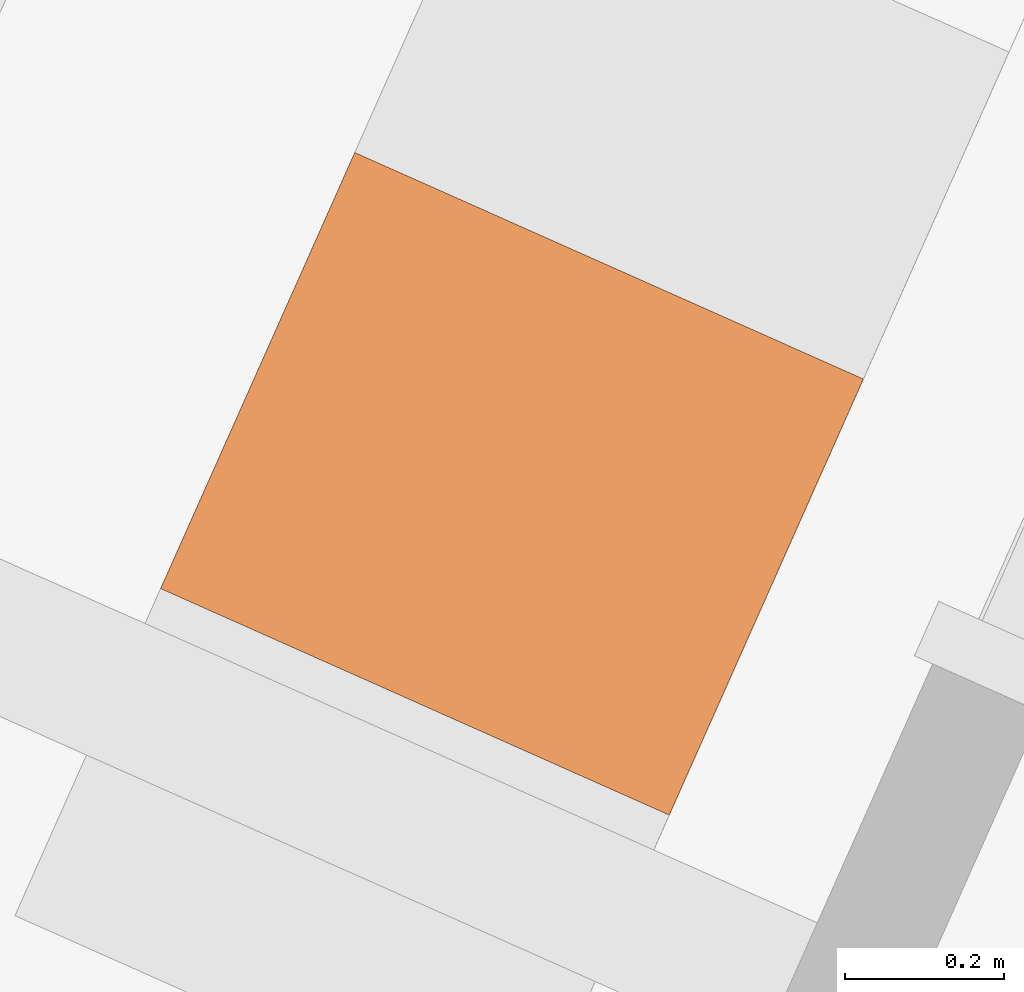
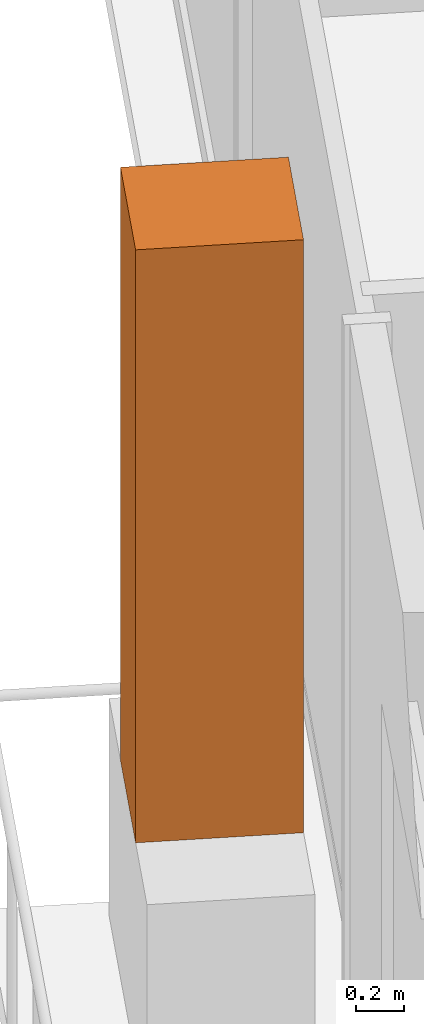
# One storey, part 21 of 21: 1 geographic element.
"""IFC4 building model written with IfcOpenShell, lengths in metres."""

from ifc_helpers import new_model, si_unit, direction, frame, origin, origin_2d, place, context, subcontext, project, spatial, rectangle, extrude, source, transform, mapped, material, type_object, element, save


model = new_model("IFC4")

# Units and contexts
model_context = context("Model", 3, precision=1e-05, world=origin(), true_north=direction((0.0, 1.0)))
body_context = subcontext(model_context, "Body", "Model", "MODEL_VIEW")
ifc_project = project(units=[si_unit("LENGTHUNIT", "METRE"), si_unit("AREAUNIT", "SQUARE_METRE"), si_unit("VOLUMEUNIT", "CUBIC_METRE"), si_unit("PLANEANGLEUNIT", "RADIAN"), si_unit("MASSUNIT", "GRAM", prefix="KILO")], contexts=[model_context])

# Site, building, storey
site_placement = place(None, origin())
site = spatial("IfcSite", under=ifc_project, at=site_placement, CompositionType="ELEMENT")
building_placement = place(site_placement, origin())
building = spatial("IfcBuilding", under=site, at=building_placement, Name="Triune Harvest Tower", CompositionType="ELEMENT")
storey_placement = place(building_placement, frame((0.0, 0.0, 241.300048828125)))
storey = spatial("IfcBuildingStorey", under=building, at=storey_placement, Name="L63", CompositionType="ELEMENT", Elevation=241.300048828125)

# Geographic element
ifc_material = material(Name="TREE-1 tree")
geographic_element_type = type_object("IfcGeographicElementType", Name="TREE-1 tree", PredefinedType="USERDEFINED", material=ifc_material)
shared_shape = source(origin(), body_context, "Body", "SweptSolid", [
    extrude(rectangle(XDim=0.60009765625, YDim=0.699951171875, at=origin_2d()), origin(), (0.0, 0.0, 1.0), 3.0),
])
geographic_element_placement = place(storey_placement, frame((-12.7265625, 22.1943359375, 1.099853515625), z_axis=(0.0, 0.0, 1.0), x_axis=(-0.406737912248, -0.91354489257, 0.0)))
element("IfcGeographicElement", 1, at=geographic_element_placement, inside=storey, type_object=geographic_element_type, Name="Tree B6-F3 L63.3a", ObjectType="TREE", PredefinedType="USERDEFINED", context=body_context, shape_type="MappedRepresentation", body=[
    mapped(shared_shape, transform((0.0, 0.0, 0.0), scale=1.0)),
])

save(model, "model.ifc")
